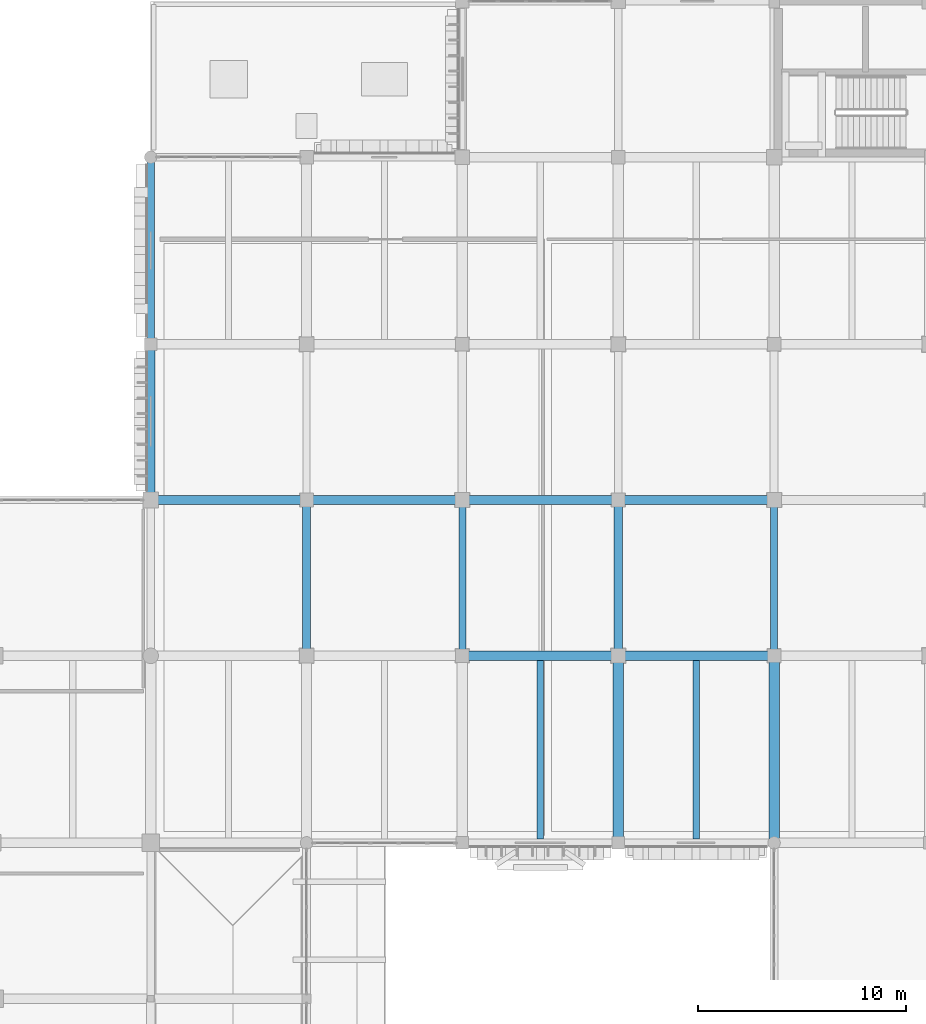
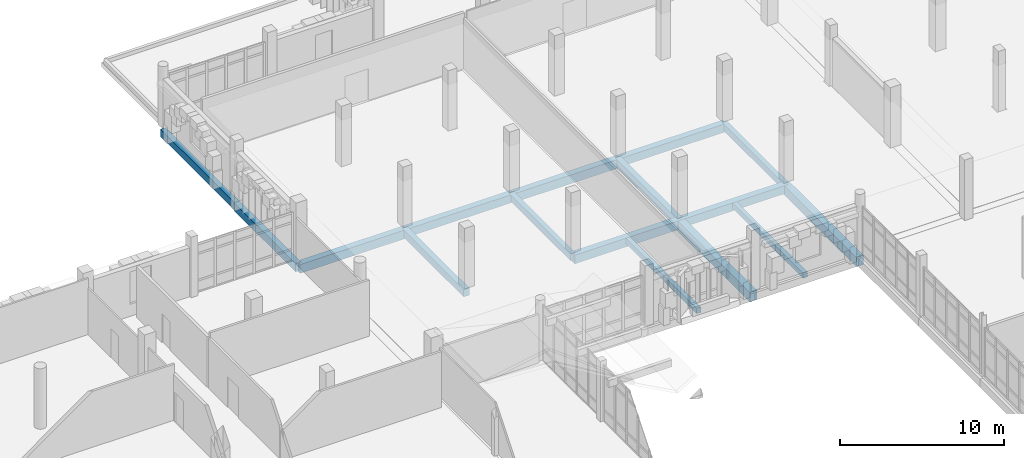
# One storey, part 48 of 128: 16 beams.
"""IFC4 building model written with IfcOpenShell, lengths in metres."""

from ifc_helpers import new_model, si_unit, direction, frame, origin, origin_2d, place, context, subcontext, project, spatial, rectangle, extrude, material, material_profile, profile_set, type_object, element, save


model = new_model("IFC4")

# Units and contexts
model_context = context("Model", 3, precision=1e-05, world=origin(), true_north=direction((0.0, 1.0)))
body_context = subcontext(model_context, "Body", "Model", "MODEL_VIEW")
ifc_project = project(units=[si_unit("LENGTHUNIT", "METRE"), si_unit("AREAUNIT", "SQUARE_METRE"), si_unit("VOLUMEUNIT", "CUBIC_METRE"), si_unit("PLANEANGLEUNIT", "RADIAN"), si_unit("MASSUNIT", "GRAM", prefix="KILO")], contexts=[model_context])

# Site, building, storey
site_placement = place(None, origin())
site = spatial("IfcSite", under=ifc_project, at=site_placement, CompositionType="ELEMENT")
building_placement = place(site_placement, origin())
building = spatial("IfcBuilding", under=site, at=building_placement, Name="Dalvernix Boulevard General Hospital", CompositionType="ELEMENT")
storey_placement = place(building_placement, frame((0.0, 0.0, 4.800048828125)))
storey = spatial("IfcBuildingStorey", under=building, at=storey_placement, Name="L01", CompositionType="ELEMENT", Elevation=4.800048828125)

# Beams
ifc_material = material(Name="Concrete C35/45", Category="concrete")
ifc_material_profile_1 = material_profile(ifc_material, rectangle(XDim=0.5, YDim=0.699951171875, at=origin_2d()), Name="RCB 500x700")
ifc_profile_set_1 = profile_set([ifc_material_profile_1], Name="Concrete C35/45")
beam_type_1 = type_object("IfcBeamType", Name="BM-B-01-I", PredefinedType="BEAM", material=ifc_profile_set_1)
for number, where, z_axis, x_axis, name in (
    (1, (52.5, 76.5, -0.650146484375), (0.0, 1.0, 0.0), (-1.0, 0.0, 0.0), "L01 N-S girder 8:L-M"),
    (2, (60.0, 76.5, -0.650146484375), (0.0, 1.0, 0.0), (-1.0, 0.0, 0.0), "L01 N-S girder 9:L-M"),
):
    element("IfcBeam", number, at=place(storey_placement, frame(where, z_axis=z_axis, x_axis=x_axis)), inside=storey, type_object=beam_type_1, Name=name, PredefinedType="BEAM", context=body_context, shape_type="SweptSolid", body=[
        extrude(rectangle(XDim=0.5, YDim=0.699951171875, at=origin_2d()), origin(), (0.0, 0.0, 1.0), 9.0),
    ])
ifc_material_profile_2 = material_profile(ifc_material, rectangle(XDim=0.449951171875, YDim=0.64990234375, at=origin_2d()), Name="RCB 450x650")
ifc_profile_set_2 = profile_set([ifc_material_profile_2], Name="Concrete C35/45")
beam_type_2 = type_object("IfcBeamType", Name="BM-B-03-I", PredefinedType="BEAM", material=ifc_profile_set_2)
for number, where, z_axis, x_axis, name in (
    (3, (45.0, 85.5, -0.625), (1.0, 0.0, 0.0), (0.0, 1.0, 0.0), "L01 E-W girder M:7-8"),
    (4, (30.0, 93.0, -0.625), (1.0, 0.0, 0.0), (0.0, 1.0, 0.0), "L01 E-W girder N:5-6"),
    (5, (45.0, 93.0, -0.625), (1.0, 0.0, 0.0), (0.0, 1.0, 0.0), "L01 E-W girder N:7-8"),
):
    element("IfcBeam", number, at=place(storey_placement, frame(where, z_axis=z_axis, x_axis=x_axis)), inside=storey, type_object=beam_type_2, Name=name, PredefinedType="BEAM", context=body_context, shape_type="SweptSolid", body=[
        extrude(rectangle(XDim=0.449951171875, YDim=0.64990234375, at=origin_2d()), origin(), (0.0, 0.0, 1.0), 7.5),
    ])
ifc_material_profile_3 = material_profile(ifc_material, rectangle(XDim=0.449951171875, YDim=0.60009765625, at=origin_2d()), Name="RCB 450x600")
ifc_profile_set_3 = profile_set([ifc_material_profile_3], Name="Concrete C35/45")
beam_type_3 = type_object("IfcBeamType", Name="BM-B-04-I", PredefinedType="BEAM", material=ifc_profile_set_3)
for number, where, z_axis, x_axis, name in (
    (6, (52.5, 85.5, -0.60009765625), (1.0, 0.0, 0.0), (0.0, 1.0, 0.0), "L01 E-W girder M:8-9"),
    (7, (37.5, 93.0, -0.60009765625), (1.0, 0.0, 0.0), (0.0, 1.0, 0.0), "L01 E-W girder N:6-7"),
    (8, (52.5, 93.0, -0.60009765625), (1.0, 0.0, 0.0), (0.0, 1.0, 0.0), "L01 E-W girder N:8-9"),
):
    element("IfcBeam", number, at=place(storey_placement, frame(where, z_axis=z_axis, x_axis=x_axis)), inside=storey, type_object=beam_type_3, Name=name, PredefinedType="BEAM", context=body_context, shape_type="SweptSolid", body=[
        extrude(rectangle(XDim=0.449951171875, YDim=0.60009765625, at=origin_2d()), origin(), (0.0, 0.0, 1.0), 7.5),
    ])
ifc_material_profile_4 = material_profile(ifc_material, rectangle(XDim=0.39990234375, YDim=0.550048828125, at=origin_2d()), Name="RCB 400x550")
ifc_profile_set_4 = profile_set([ifc_material_profile_4], Name="Concrete C35/45")
beam_type_4 = type_object("IfcBeamType", Name="BM-B-06-I", PredefinedType="BEAM", material=ifc_profile_set_4)
for number, where, z_axis, x_axis, name in (
    (9, (37.5, 85.5, -0.574951171875), (0.0, 1.0, 0.0), (-1.0, 0.0, 0.0), "L01 N-S girder 6:M-N"),
    (10, (52.5, 85.5, -0.574951171875), (0.0, 1.0, 0.0), (-1.0, 0.0, 0.0), "L01 N-S girder 8:M-N"),
):
    element("IfcBeam", number, at=place(storey_placement, frame(where, z_axis=z_axis, x_axis=x_axis)), inside=storey, type_object=beam_type_4, Name=name, PredefinedType="BEAM", context=body_context, shape_type="SweptSolid", body=[
        extrude(rectangle(XDim=0.39990234375, YDim=0.550048828125, at=origin_2d()), origin(), (0.0, 0.0, 1.0), 7.5),
    ])
ifc_material_profile_5 = material_profile(ifc_material, rectangle(XDim=0.35009765625, YDim=0.5, at=origin_2d()), Name="RCB 350x500")
ifc_profile_set_5 = profile_set([ifc_material_profile_5], Name="Concrete C35/45")
beam_type_5 = type_object("IfcBeamType", Name="BM-B-08-I", PredefinedType="BEAM", material=ifc_profile_set_5)
for number, where, z_axis, x_axis, name in (
    (11, (45.0, 85.5, -0.550048828125), (0.0, 1.0, 0.0), (-1.0, 0.0, 0.0), "L01 N-S girder 7:M-N"),
    (12, (60.0, 85.5, -0.550048828125), (0.0, 1.0, 0.0), (-1.0, 0.0, 0.0), "L01 N-S girder 9:M-N"),
):
    element("IfcBeam", number, at=place(storey_placement, frame(where, z_axis=z_axis, x_axis=x_axis)), inside=storey, type_object=beam_type_5, Name=name, PredefinedType="BEAM", context=body_context, shape_type="SweptSolid", body=[
        extrude(rectangle(XDim=0.35009765625, YDim=0.5, at=origin_2d()), origin(), (0.0, 0.0, 1.0), 7.5),
    ])
ifc_material_profile_6 = material_profile(ifc_material, rectangle(XDim=0.300048828125, YDim=0.39990234375, at=origin_2d()), Name="RCB 300x400")
ifc_profile_set_6 = profile_set([ifc_material_profile_6], Name="Concrete C35/45")
beam_type_6 = type_object("IfcBeamType", Name="BM-JB-01", PredefinedType="JOIST", material=ifc_profile_set_6)
for number, where, z_axis, x_axis, name in (
    (13, (48.75, 76.675048828125, -0.5), (0.0, 1.0, 0.0), (-1.0, 0.0, 0.0), "L01 secondary floor beam 7-L"),
    (14, (56.25, 76.675048828125, -0.5), (0.0, 1.0, 0.0), (-1.0, 0.0, 0.0), "L01 secondary floor beam 8-L"),
):
    element("IfcBeam", number, at=place(storey_placement, frame(where, z_axis=z_axis, x_axis=x_axis)), inside=storey, type_object=beam_type_6, Name=name, PredefinedType="JOIST", context=body_context, shape_type="SweptSolid", body=[
        extrude(rectangle(XDim=0.300048828125, YDim=0.39990234375, at=origin_2d()), origin(), (0.0, 0.0, 1.0), 8.599853515625),
    ])
ifc_material_profile_7 = material_profile(ifc_material, rectangle(XDim=0.35009765625, YDim=0.550048828125, at=origin_2d()), Name="RCB 350x550")
ifc_profile_set_7 = profile_set([ifc_material_profile_7], Name="Concrete C35/45")
beam_type_7 = type_object("IfcBeamType", Name="BM-SB-01-E", PredefinedType="SPANDREL", material=ifc_profile_set_7)
beam_1_placement = place(storey_placement, frame((30.0, 100.5, -0.574951171875), z_axis=(0.0, 1.0, 0.0), x_axis=(-1.0, 0.0, 0.0)))
element("IfcBeam", 15, at=beam_1_placement, inside=storey, type_object=beam_type_7, Name="L01 N-S girder 5:P-Q", PredefinedType="SPANDREL", context=body_context, shape_type="SweptSolid", body=[
    extrude(rectangle(XDim=0.35009765625, YDim=0.550048828125, at=origin_2d()), origin(), (0.0, 0.0, 1.0), 9.0),
])
ifc_material_profile_8 = material_profile(ifc_material, rectangle(XDim=0.39990234375, YDim=0.60009765625, at=origin_2d()), Name="RCB 400x600")
ifc_profile_set_8 = profile_set([ifc_material_profile_8], Name="Concrete C35/45")
beam_type_8 = type_object("IfcBeamType", Name="BM-SB-02-E", PredefinedType="SPANDREL", material=ifc_profile_set_8)
beam_2_placement = place(storey_placement, frame((30.0, 93.0, -0.60009765625), z_axis=(0.0, 1.0, 0.0), x_axis=(-1.0, 0.0, 0.0)))
element("IfcBeam", 16, at=beam_2_placement, inside=storey, type_object=beam_type_8, Name="L01 N-S girder 5:N-P", PredefinedType="SPANDREL", context=body_context, shape_type="SweptSolid", body=[
    extrude(rectangle(XDim=0.39990234375, YDim=0.60009765625, at=origin_2d()), origin(), (0.0, 0.0, 1.0), 7.5),
])

save(model, "model.ifc")
